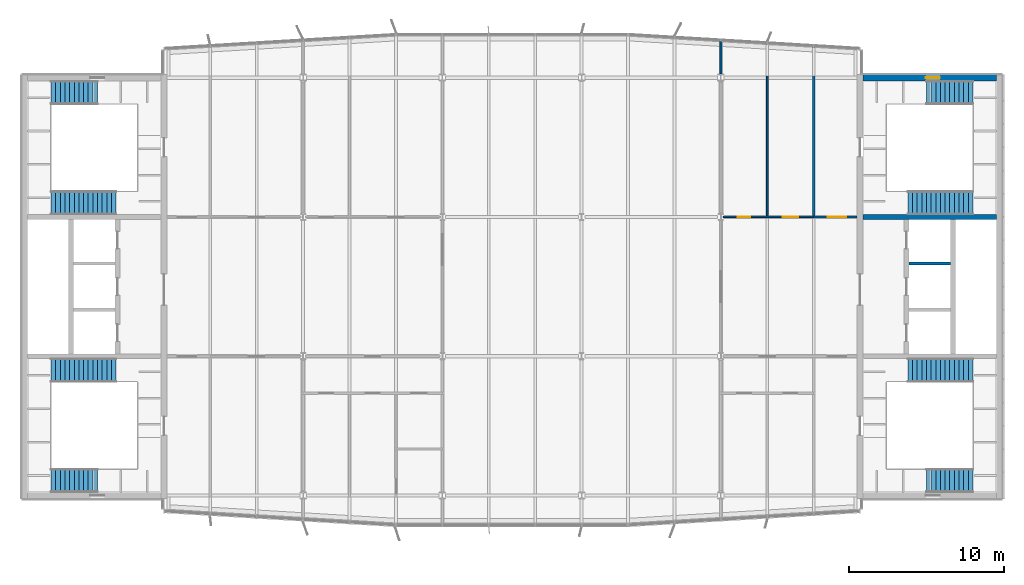
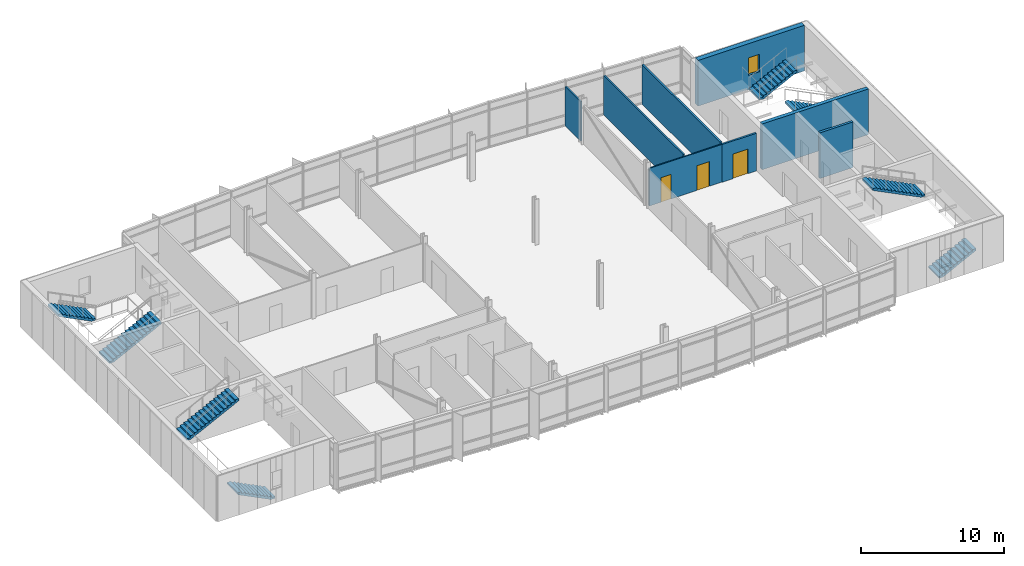
# One storey, part 16 of 20: 8 stair flights, 8 walls, 3 doors, 1 window, 4 openings, 4 elements without a shape of their own.
"""IFC4 building model written with IfcOpenShell, lengths in metres."""

import ifcopenshell
import ifcopenshell.guid

model = None  # the IFC model being written
_history = None  # IfcOwnerHistory: only IFC2X3 demands one
_inside = {}  # id of a spatial element -> (the spatial element, [elements in it])
_under = {}  # id of a project, library or spatial element -> (it, [spatial elements below it])
_declared = {}  # id of a project -> (the project, [libraries it declares])
_typed = {}  # id of a type object -> (the type object, [elements of that type])
_made_of = {}  # id of a material, layer set ... -> (it, [elements and type objects made of it])


def new_model(schema):
    """Start an empty IFC model of exactly this schema.

    Asked for "IFC4X3", IfcOpenShell would pick the latest addendum, in which some entities
    have other attributes; the version numbers below select the first issue.
    IFC2X3 requires an IfcOwnerHistory on every rooted entity: one is made here for all.
    """
    global model, _history
    if schema == "IFC4X3":
        model = ifcopenshell.file(schema_version=(4, 3, 0, 0))
    else:
        model = ifcopenshell.file(schema=schema)
    _inside.clear()
    _under.clear()
    _declared.clear()
    _typed.clear()
    _made_of.clear()
    _history = None
    if model.schema == "IFC2X3":
        org = make("IfcOrganization", Name="unknown")
        user = make(
            "IfcPersonAndOrganization",
            ThePerson=make("IfcPerson", FamilyName="unknown"),
            TheOrganization=org,
        )
        app = make(
            "IfcApplication",
            ApplicationDeveloper=org,
            Version="unknown",
            ApplicationFullName="unknown",
            ApplicationIdentifier="unknown",
        )
        _history = make(
            "IfcOwnerHistory",
            OwningUser=user,
            OwningApplication=app,
            ChangeAction="ADDED",
            CreationDate=0,
        )
    return model


def make(cls, **values):
    """One entity of the class cls with the attributes given. An attribute that is None is left unset."""
    return model.create_entity(
        cls, **{name: value for name, value in values.items() if value is not None}
    )


def rooted(cls, **values):
    """An entity with a GlobalId (a new one), such as an element, a storey or a relation."""
    return make(cls, GlobalId=ifcopenshell.guid.new(), OwnerHistory=_history, **values)


def si_unit(unit_type, name, prefix=None):
    """IfcSIUnit, for example si_unit("LENGTHUNIT", "METRE", prefix="MILLI")."""
    return make("IfcSIUnit", UnitType=unit_type, Prefix=prefix, Name=name)


def assignment(units):
    """IfcUnitAssignment: the units of a project."""
    return None if units is None else make("IfcUnitAssignment", Units=units)


def point(xyz):
    """IfcCartesianPoint."""
    return None if xyz is None else make("IfcCartesianPoint", Coordinates=xyz)


def direction(xyz):
    """IfcDirection."""
    return None if xyz is None else make("IfcDirection", DirectionRatios=xyz)


def frame(location, z_axis=None, x_axis=None):
    """IfcAxis2Placement3D, a coordinate frame: its origin and axes. An axis left out is left unset."""
    return make(
        "IfcAxis2Placement3D",
        Location=point(location),
        Axis=direction(z_axis),
        RefDirection=direction(x_axis),
    )


def frame_2d(location, x_axis=None):
    """IfcAxis2Placement2D, a coordinate frame in the plane: its origin and x axis."""
    return make(
        "IfcAxis2Placement2D", Location=point(location), RefDirection=direction(x_axis)
    )


def origin():
    """The frame at (0, 0, 0) with its axes left unset."""
    return frame((0.0, 0.0, 0.0))


def place(relative_to, where):
    """IfcLocalPlacement: puts the frame where relative to a parent placement (None: the world)."""
    return make(
        "IfcLocalPlacement", PlacementRelTo=relative_to, RelativePlacement=where
    )


def context(
    kind, dimensions, precision=None, world=None, true_north=None, identifier=None
):
    """IfcGeometricRepresentationContext, for example the 3D "Model" context."""
    return make(
        "IfcGeometricRepresentationContext",
        ContextIdentifier=identifier,
        ContextType=kind,
        CoordinateSpaceDimension=dimensions,
        Precision=precision,
        WorldCoordinateSystem=world,
        TrueNorth=true_north,
    )


def subcontext(parent, identifier, kind, view, scale=None):
    """IfcGeometricRepresentationSubContext, for example "Body" below "Model"."""
    return make(
        "IfcGeometricRepresentationSubContext",
        ContextIdentifier=identifier,
        ContextType=kind,
        ParentContext=parent,
        TargetScale=scale,
        TargetView=view,
    )


def project(units=None, contexts=None):
    """IfcProject with its units and contexts."""
    return rooted(
        "IfcProject",
        Name="project",
        RepresentationContexts=contexts,
        UnitsInContext=assignment(units),
    )


def spatial(cls, under=None, at=None, **own):
    """A site, building, storey or space (cls), placed at a placement, below another one or the project."""
    s = rooted(cls, ObjectPlacement=at, **own)
    if under is not None:
        _under.setdefault(under.id(), (under, []))[1].append(s)
    return s


def polyline(points):
    """IfcPolyline through the points."""
    return make("IfcPolyline", Points=[point(p) for p in points])


def profile(cls, at=None, kind="AREA", **sizes):
    """A parametric profile (cls). Its sizes go by their IFC names, for example OverallWidth=200.0."""
    return make(cls, ProfileType=kind, Position=at, **sizes)


def rectangle(**sizes):
    """IfcRectangleProfileDef."""
    return profile("IfcRectangleProfileDef", **sizes)


def outline(outer, holes=None, kind="AREA"):
    """IfcArbitraryClosedProfileDef: a profile drawn as a closed curve; with holes, ...WithVoids."""
    if holes is None:
        return make("IfcArbitraryClosedProfileDef", ProfileType=kind, OuterCurve=outer)
    return make(
        "IfcArbitraryProfileDefWithVoids",
        ProfileType=kind,
        OuterCurve=outer,
        InnerCurves=holes,
    )


def extrude(swept, where, along, depth):
    """IfcExtrudedAreaSolid: the profile swept, set in the frame where, extruded along a direction by depth."""
    return make(
        "IfcExtrudedAreaSolid",
        SweptArea=swept,
        Position=where,
        ExtrudedDirection=direction(along),
        Depth=depth,
    )


def shape(context_of_items, identifier, shape_type, items):
    """IfcShapeRepresentation: the items that make up one representation, for example the "Body"."""
    return make(
        "IfcShapeRepresentation",
        ContextOfItems=context_of_items,
        RepresentationIdentifier=identifier,
        RepresentationType=shape_type,
        Items=items,
    )


def material(Name=None, Category=None):
    """IfcMaterial."""
    return make("IfcMaterial", Name=Name, Category=Category)


def layer(
    of_material, thickness, ventilated=None, Name=None, Category=None, Priority=None
):
    """IfcMaterialLayer: one layer of a wall or slab, of a material (None: an air gap)."""
    return make(
        "IfcMaterialLayer",
        Material=of_material,
        LayerThickness=thickness,
        IsVentilated=ventilated,
        Name=Name,
        Category=Category,
        Priority=Priority,
    )


def layer_set(layers, Name=None):
    """IfcMaterialLayerSet."""
    return make("IfcMaterialLayerSet", MaterialLayers=layers, LayerSetName=Name)


def made_of(thing, what):
    """Note that an element or type object is made of a material, layer set ...; save() writes the relation."""
    if what is not None:
        _made_of.setdefault(what.id(), (what, []))[1].append(thing)
    return thing


def type_object(cls, material=None, **own):
    """A type object (cls), such as IfcWallType, which elements share."""
    return made_of(rooted(cls, **own), material)


def element(
    cls,
    number,
    at=None,
    inside=None,
    cuts=None,
    type_object=None,
    material=None,
    context=None,
    identifier="Body",
    shape_type=None,
    held_by="IfcProductDefinitionShape",
    body=None,
    shapes=None,
    **own,
):
    """One element of the class cls, such as IfcWall. Its Tag is "e" and its number.

    at: its placement. inside: the storey or other place that contains it. cuts: it is an
    opening in that element (IfcRelVoidsElement). A single representation is given by context,
    identifier, shape_type and body (its items); several are given by shapes. held_by: the class
    of the entity that holds the representations. save() writes the other relations.
    """
    e = rooted(cls, Tag="e%d" % number, ObjectPlacement=at, **own)
    if body is not None:
        shapes = [shape(context, identifier, shape_type, body)]
    if shapes is not None:
        e.Representation = make(held_by, Representations=shapes)
    if inside is not None:
        _inside.setdefault(inside.id(), (inside, []))[1].append(e)
    if cuts is not None:
        rooted(
            "IfcRelVoidsElement", RelatingBuildingElement=cuts, RelatedOpeningElement=e
        )
    if type_object is not None:
        _typed.setdefault(type_object.id(), (type_object, []))[1].append(e)
    return made_of(e, material)


def fill(opening, filler):
    """IfcRelFillsElement: the door or window that sits in an opening."""
    return rooted(
        "IfcRelFillsElement",
        RelatingOpeningElement=opening,
        RelatedBuildingElement=filler,
    )


def aggregate(whole, parts):
    """IfcRelAggregates: a whole, such as a stair, and the parts it consists of."""
    return rooted("IfcRelAggregates", RelatingObject=whole, RelatedObjects=parts)


def save(model, path):
    """Write the relations noted so far, then the file.

    IfcRelAggregates (storeys below a building ...), IfcRelContainedInSpatialStructure (elements
    in a storey), IfcRelDefinesByType, IfcRelAssociatesMaterial and IfcRelDeclares: one each for
    every whole, place, type object, material and project.
    """
    for whole, parts in _under.values():
        aggregate(whole, parts)
    for where, things in _inside.values():
        rooted(
            "IfcRelContainedInSpatialStructure",
            RelatedElements=things,
            RelatingStructure=where,
        )
    for kind, things in _typed.values():
        rooted("IfcRelDefinesByType", RelatedObjects=things, RelatingType=kind)
    for what, things in _made_of.values():
        rooted("IfcRelAssociatesMaterial", RelatedObjects=things, RelatingMaterial=what)
    for by, libraries in _declared.values():
        rooted("IfcRelDeclares", RelatingContext=by, RelatedDefinitions=libraries)
    model.write(path)


model = new_model("IFC4")

# Units and contexts
model_context = context("Model", 3, precision=1e-05, world=origin(), true_north=direction((0.0, 1.0)))
body_context = subcontext(model_context, "Body", "Model", "MODEL_VIEW")
ifc_project = project(units=[si_unit("LENGTHUNIT", "METRE"), si_unit("AREAUNIT", "SQUARE_METRE"), si_unit("VOLUMEUNIT", "CUBIC_METRE"), si_unit("PLANEANGLEUNIT", "RADIAN"), si_unit("MASSUNIT", "GRAM", prefix="KILO")], contexts=[model_context])

# Site, building, storey
site_placement = place(None, origin())
site = spatial("IfcSite", under=ifc_project, at=site_placement, CompositionType="ELEMENT")
building_placement = place(site_placement, origin())
building = spatial("IfcBuilding", under=site, at=building_placement, Name="Azimuth Sports and Learning Centre", CompositionType="ELEMENT")
storey_placement = place(building_placement, frame((0.0, 0.0, 44.10009765625)))
storey = spatial("IfcBuildingStorey", under=building, at=storey_placement, Name="L09", CompositionType="ELEMENT", Elevation=44.10009765625)

# Wall
ifc_material_1 = material(Name="Dense masonry blockwork", Category="masonry")
ifc_layer_1 = layer(ifc_material_1, 0.199951171875)
ifc_layer_set_1 = layer_set([ifc_layer_1], Name="Dense masonry blockwork")
wall_type_1 = type_object("IfcWallType", Name="Blockwork wall 200 EI 120", PredefinedType="SOLIDWALL", material=ifc_layer_set_1)
wall_1_placement = place(storey_placement, frame((111.14990234375, 105.0, 0.0), z_axis=(0.0, 0.0, 1.0), x_axis=(1.0, 0.0, 0.0)))
element("IfcWall", 1, at=wall_1_placement, inside=storey, type_object=wall_type_1, Name="SD-E-2-L09", PredefinedType="SOLIDWALL", context=body_context, shape_type="SweptSolid", body=[
    extrude(rectangle(XDim=2.7001953125, YDim=0.199951171875, at=frame_2d((1.35009765625, 0.0))), origin(), (0.0, 0.0, 1.0), 3.89990234375),
])

# Wall, openings, doors
ifc_material_2 = material(Name="Gypsum board on steel studs", Category="steel")
ifc_layer_2 = layer(ifc_material_2, 0.10009765625)
ifc_layer_set_2 = layer_set([ifc_layer_2], Name="Gypsum board on steel studs")
wall_type_2 = type_object("IfcWallType", Name="Partition 100 EI 30", PredefinedType="PARTITIONING", material=ifc_layer_set_2)
wall_2_placement = place(storey_placement, frame((99.153564453125, 108.0, 0.0), z_axis=(0.0, 0.0, 1.0), x_axis=(1.0, 0.0, 0.0)))
wall_2 = element("IfcWall", 2, at=wall_2_placement, inside=storey, type_object=wall_type_2, Name="Partition Archive Room 09.20 / Study Room 09.21", PredefinedType="PARTITIONING", context=body_context, shape_type="SweptSolid", body=[
    extrude(rectangle(XDim=5.846435546875, YDim=0.10009765625, at=frame_2d((2.92333984375, 0.0))), origin(), (0.0, 0.0, 1.0), 3.219970703125),
])
opening_1_placement = place(wall_2_placement, frame((0.946533203125, 0.0, 0.0)))
opening_1 = element("IfcOpeningElement", 3, at=opening_1_placement, cuts=wall_2, Name="Opening D09-023", PredefinedType="OPENING", context=body_context, shape_type="SweptSolid", body=[
    extrude(rectangle(XDim=0.800048828125, YDim=2.10009765625, at=frame_2d((0.39990234375, 1.050048828125))), frame((0.0, 0.06103515625, 0.0), z_axis=(0.0, -1.0, 0.0), x_axis=(1.0, 0.0, 0.0)), (0.0, 0.0, 1.0), 0.1220703125),
])
opening_2_placement = place(wall_2_placement, frame((3.846435546875, 0.0, 0.0)))
opening_2 = element("IfcOpeningElement", 4, at=opening_2_placement, cuts=wall_2, Name="Opening D09-024", PredefinedType="OPENING", context=body_context, shape_type="SweptSolid", body=[
    extrude(rectangle(XDim=1.0, YDim=2.10009765625, at=frame_2d((0.5, 1.050048828125))), frame((0.0, 0.06103515625, 0.0), z_axis=(0.0, -1.0, 0.0), x_axis=(1.0, 0.0, 0.0)), (0.0, 0.0, 1.0), 0.1220703125),
])
ifc_material_3 = material(Name="Painted steel door set", Category="steel")
door_type_1 = type_object("IfcDoorType", Name="Fire door FD30S 1000 x 2100", OperationType="NOTDEFINED", PredefinedType="DOOR", material=ifc_material_3)
door_1_placement = place(opening_2_placement, origin())
door_1 = element("IfcDoor", 5, at=door_1_placement, inside=storey, type_object=door_type_1, Name="Door Study Room 09.21 / Learning Street East", OperationType="SINGLE_SWING_LEFT", OverallHeight=2.10009765625, OverallWidth=1.0, PredefinedType="DOOR", context=body_context, shape_type="SweptSolid", body=[
    extrude(rectangle(XDim=1.0, YDim=2.10009765625, at=frame_2d((0.5, 1.050048828125))), frame((0.0, 0.02490234375, 0.0), z_axis=(0.0, -1.0, 0.0), x_axis=(1.0, 0.0, 0.0)), (0.0, 0.0, 1.0), 0.050048828125),
])
fill(opening_2, door_1)
ifc_material_4 = material(Name="Painted steel door set", Category="steel")
door_type_2 = type_object("IfcDoorType", Name="Fire door FD30S 800 x 2100", OperationType="NOTDEFINED", PredefinedType="DOOR", material=ifc_material_4)
door_2_placement = place(opening_1_placement, origin())
door_2 = element("IfcDoor", 6, at=door_2_placement, inside=storey, type_object=door_type_2, Name="Door Archive Room 09.20 / Learning Street East", OperationType="SINGLE_SWING_LEFT", OverallHeight=2.10009765625, OverallWidth=0.800048828125, PredefinedType="DOOR", context=body_context, shape_type="SweptSolid", body=[
    extrude(rectangle(XDim=0.800048828125, YDim=2.10009765625, at=frame_2d((0.39990234375, 1.050048828125))), frame((0.0, 0.02490234375, 0.0), z_axis=(0.0, -1.0, 0.0), x_axis=(1.0, 0.0, 0.0)), (0.0, 0.0, 1.0), 0.050048828125),
])
fill(opening_1, door_2)

# Walls
ifc_material_5 = material(Name="Gypsum board on steel studs, acoustic", Category="steel")
ifc_layer_3 = layer(ifc_material_5, 0.125)
ifc_layer_set_3 = layer_set([ifc_layer_3], Name="Gypsum board on steel studs, acoustic")
wall_type_3 = type_object("IfcWallType", Name="Partition 125 EI 60", PredefinedType="PARTITIONING", material=ifc_layer_set_3)
wall_3_placement = place(storey_placement, frame((99.0, 117.2275390625, 0.0), z_axis=(0.0, 0.0, 1.0), x_axis=(0.0, 1.0, 0.0)))
element("IfcWall", 7, at=wall_3_placement, inside=storey, type_object=wall_type_3, Name="Partition Library 09.13 / Archive Room 09.20", PredefinedType="PARTITIONING", context=body_context, shape_type="SweptSolid", body=[
    extrude(rectangle(XDim=2.112548828125, YDim=0.125, at=frame_2d((1.05615234375, 0.0))), origin(), (0.0, 0.0, 1.0), 3.369873046875),
])
wall_4_placement = place(storey_placement, frame((102.0, 108.050048828125, 0.0), z_axis=(0.0, 0.0, 1.0), x_axis=(0.0, 1.0, 0.0)))
element("IfcWall", 8, at=wall_4_placement, inside=storey, type_object=wall_type_3, Name="Partition Archive Room 09.20 / Study Room 09.21", PredefinedType="PARTITIONING", context=body_context, shape_type="SweptSolid", body=[
    extrude(rectangle(XDim=11.10986328125, YDim=0.125, at=frame_2d((5.554931640625, 0.0))), origin(), (0.0, 0.0, 1.0), 3.369873046875),
])

# Wall, opening, door
ifc_material_6 = material(Name="Lightweight blockwork, rendered", Category="masonry")
ifc_layer_4 = layer(ifc_material_6, 0.14990234375)
ifc_layer_set_4 = layer_set([ifc_layer_4], Name="Lightweight blockwork, rendered")
wall_type_4 = type_object("IfcWallType", Name="Partition 150 EI 60", PredefinedType="PARTITIONING", material=ifc_layer_set_4)
wall_5_placement = place(storey_placement, frame((105.0, 108.0, 0.0), z_axis=(0.0, 0.0, 1.0), x_axis=(1.0, 0.0, 0.0)))
wall_5 = element("IfcWall", 9, at=wall_5_placement, inside=storey, type_object=wall_type_4, Name="Partition Stair Lobby E2 09.04 / Learning Street East", PredefinedType="PARTITIONING", context=body_context, shape_type="SweptSolid", body=[
    extrude(rectangle(XDim=2.800048828125, YDim=0.14990234375, at=frame_2d((1.39990234375, 0.0))), origin(), (0.0, 0.0, 1.0), 3.219970703125),
])
opening_3_placement = place(wall_5_placement, frame((0.89990234375, 0.0, 0.0)))
opening_3 = element("IfcOpeningElement", 10, at=opening_3_placement, cuts=wall_5, Name="Opening D09-014", PredefinedType="OPENING", context=body_context, shape_type="SweptSolid", body=[
    extrude(rectangle(XDim=1.199951171875, YDim=2.10009765625, at=frame_2d((0.60009765625, 1.050048828125))), frame((0.0, 0.0859375, 0.0), z_axis=(0.0, -1.0, 0.0), x_axis=(1.0, 0.0, 0.0)), (0.0, 0.0, 1.0), 0.171875),
])
ifc_material_7 = material(Name="Painted steel door set", Category="steel")
door_type_3 = type_object("IfcDoorType", Name="Fire door FD60 1200 x 2100", OperationType="NOTDEFINED", PredefinedType="DOOR", material=ifc_material_7)
door_3_placement = place(opening_3_placement, origin())
door_3 = element("IfcDoor", 11, at=door_3_placement, inside=storey, type_object=door_type_3, Name="Door Stair Lobby E2 09.04 / Learning Street East", OperationType="SINGLE_SWING_RIGHT", OverallHeight=2.10009765625, OverallWidth=1.199951171875, PredefinedType="DOOR", context=body_context, shape_type="SweptSolid", body=[
    extrude(rectangle(XDim=1.199951171875, YDim=2.10009765625, at=frame_2d((0.60009765625, 1.050048828125))), frame((0.0, 0.02490234375, 0.0), z_axis=(0.0, -1.0, 0.0), x_axis=(1.0, 0.0, 0.0)), (0.0, 0.0, 1.0), 0.050048828125),
])
fill(opening_3, door_3)

# Walls
wall_6_placement = place(storey_placement, frame((105.0, 108.074951171875, 0.0), z_axis=(0.0, 0.0, 1.0), x_axis=(0.0, 1.0, 0.0)))
element("IfcWall", 12, at=wall_6_placement, inside=storey, type_object=wall_type_4, Name="Partition Stair Lobby E2 09.04 / Study Room 09.21", PredefinedType="PARTITIONING", context=body_context, shape_type="SweptSolid", body=[
    extrude(rectangle(XDim=10.905029296875, YDim=0.14990234375, at=frame_2d((5.45263671875, 0.0))), origin(), (0.0, 0.0, 1.0), 3.369873046875),
])
ifc_material_8 = material(Name="Concrete C40/50", Category="concrete")
ifc_layer_5 = layer(ifc_material_8, 0.300048828125)
ifc_layer_set_5 = layer_set([ifc_layer_5], Name="Concrete C40/50")
wall_type_5 = type_object("IfcWallType", Name="RC core wall 300", PredefinedType="SHEAR", material=ifc_layer_set_5)
wall_7_placement = place(storey_placement, frame((108.199951171875, 108.0, 0.0), z_axis=(0.0, 0.0, 1.0), x_axis=(1.0, 0.0, 0.0)))
element("IfcWall", 13, at=wall_7_placement, inside=storey, type_object=wall_type_5, Name="Core wall E D2 L09", PredefinedType="SHEAR", context=body_context, shape_type="SweptSolid", body=[
    extrude(rectangle(XDim=8.60009765625, YDim=0.300048828125, at=frame_2d((4.300048828125, 0.0))), origin(), (0.0, 0.0, 1.0), 3.89990234375),
])

# Wall, opening, window
ifc_material_9 = material(Name="Concrete C40/50", Category="concrete")
ifc_layer_6 = layer(ifc_material_9, 0.39990234375)
ifc_layer_set_6 = layer_set([ifc_layer_6], Name="Concrete C40/50")
wall_type_6 = type_object("IfcWallType", Name="RC external core wall 400", PredefinedType="SHEAR", material=ifc_layer_set_6)
wall_8_placement = place(storey_placement, frame((108.199951171875, 117.0, 0.0), z_axis=(0.0, 0.0, 1.0), x_axis=(1.0, 0.0, 0.0)))
wall_8 = element("IfcWall", 14, at=wall_8_placement, inside=storey, type_object=wall_type_6, Name="Core wall E N L09", PredefinedType="SHEAR", context=body_context, shape_type="SweptSolid", body=[
    extrude(rectangle(XDim=8.60009765625, YDim=0.39990234375, at=frame_2d((4.300048828125, 0.0))), origin(), (0.0, 0.0, 1.0), 3.89990234375),
])
opening_4_placement = place(wall_8_placement, frame((4.050048828125, 0.0, 1.199951171875)))
opening_4 = element("IfcOpeningElement", 15, at=opening_4_placement, cuts=wall_8, Name="Opening W09-003", PredefinedType="OPENING", context=body_context, shape_type="SweptSolid", body=[
    extrude(rectangle(XDim=0.89990234375, YDim=1.5, at=frame_2d((0.449951171875, 0.75))), frame((0.0, 0.2109375, 0.0), z_axis=(0.0, -1.0, 0.0), x_axis=(1.0, 0.0, 0.0)), (0.0, 0.0, 1.0), 0.421875),
])
ifc_material_10 = material(Name="Aluminium and glass", Category="aluminium")
window_type = type_object("IfcWindowType", Name="Stair window tower core 900x1500", PartitioningType="SINGLE_PANEL", PredefinedType="WINDOW", material=ifc_material_10)
window_placement = place(opening_4_placement, origin())
window = element("IfcWindow", 16, at=window_placement, inside=storey, type_object=window_type, Name="Window W09-003", OverallHeight=1.5, OverallWidth=0.89990234375, PartitioningType="SINGLE_PANEL", PredefinedType="WINDOW", context=body_context, shape_type="SweptSolid", body=[
    extrude(rectangle(XDim=0.89990234375, YDim=1.5, at=frame_2d((0.449951171875, 0.75))), frame((0.0, 0.030029296875, 0.0), z_axis=(0.0, -1.0, 0.0), x_axis=(1.0, 0.0, 0.0)), (0.0, 0.0, 1.0), 0.06005859375),
])
fill(opening_4, window)

# Stair, stair flight
ifc_material_11 = material(Name="Concrete C32/40", Category="concrete")
stair_type = type_object("IfcStairType", Name="Square-well stair core 3900 storey", PredefinedType="THREE_QUARTER_TURN_STAIR", material=ifc_material_11)
stair_1_placement = place(storey_placement, origin())
stair_1 = element("IfcStair", 17, at=stair_1_placement, inside=storey, type_object=stair_type, Name="Stair W1 L09-L10", PredefinedType="THREE_QUARTER_TURN_STAIR")
ifc_material_12 = material(Name="Concrete C32/40", Category="concrete")
stair_flight_type_1 = type_object("IfcStairFlightType", Name="Stair flight 11 risers", PredefinedType="STRAIGHT", material=ifc_material_12)
stair_flight_1_placement = place(storey_placement, frame((58.7099609375, 90.9599609375, 0.0), z_axis=(0.0, 0.0, 1.0), x_axis=(-1.0, 0.0, 0.0)))
stair_flight_1 = element("IfcStairFlight", 18, at=stair_flight_1_placement, type_object=stair_flight_type_1, Name="Stair W1 L09 flight 1", NumberOfRisers=11, NumberOfTreads=10, PredefinedType="STRAIGHT", RiserHeight=0.15, TreadLength=0.3, context=body_context, shape_type="SweptSolid", body=[
    extrude(outline(polyline([(0.0, 0.0), (0.0, 0.14990234375), (0.300048828125, 0.14990234375), (0.300048828125, 0.300048828125), (0.60009765625, 0.300048828125), (0.60009765625, 0.449951171875), (0.89990234375, 0.449951171875), (0.89990234375, 0.60009765625), (1.199951171875, 0.60009765625), (1.199951171875, 0.75), (1.5, 0.75), (1.5, 0.89990234375), (1.800048828125, 0.89990234375), (1.800048828125, 1.050048828125), (2.10009765625, 1.050048828125), (2.10009765625, 1.199951171875), (2.39990234375, 1.199951171875), (2.39990234375, 1.35009765625), (2.699951171875, 1.35009765625), (2.699951171875, 1.5), (3.0, 1.5), (3.0, 1.64990234375), (3.0, 1.33251953125), (0.335205078125, 0.0), (0.0, 0.0)])), frame((0.0, 0.75, 0.0), z_axis=(0.0, -1.0, 0.0), x_axis=(1.0, 0.0, 0.0)), (0.0, 0.0, 1.0), 1.5),
])

stair_2_placement = place(storey_placement, origin())
stair_2 = element("IfcStair", 19, at=stair_2_placement, inside=storey, type_object=stair_type, Name="Stair W2 L09-L10", PredefinedType="THREE_QUARTER_TURN_STAIR")
stair_flight_2_placement = place(storey_placement, frame((58.7099609375, 116.0400390625, 0.0), z_axis=(0.0, 0.0, 1.0), x_axis=(-1.0, 0.0, 0.0)))
stair_flight_2 = element("IfcStairFlight", 20, at=stair_flight_2_placement, type_object=stair_flight_type_1, Name="Stair W2 L09 flight 1", NumberOfRisers=11, NumberOfTreads=10, PredefinedType="STRAIGHT", RiserHeight=0.15, TreadLength=0.3, context=body_context, shape_type="SweptSolid", body=[
    extrude(outline(polyline([(0.0, 0.0), (0.0, 0.14990234375), (0.300048828125, 0.14990234375), (0.300048828125, 0.300048828125), (0.60009765625, 0.300048828125), (0.60009765625, 0.449951171875), (0.89990234375, 0.449951171875), (0.89990234375, 0.60009765625), (1.199951171875, 0.60009765625), (1.199951171875, 0.75), (1.5, 0.75), (1.5, 0.89990234375), (1.800048828125, 0.89990234375), (1.800048828125, 1.050048828125), (2.10009765625, 1.050048828125), (2.10009765625, 1.199951171875), (2.39990234375, 1.199951171875), (2.39990234375, 1.35009765625), (2.699951171875, 1.35009765625), (2.699951171875, 1.5), (3.0, 1.5), (3.0, 1.64990234375), (3.0, 1.33251953125), (0.335205078125, 0.0), (0.0, 0.0)])), frame((0.0, 0.75, 0.0), z_axis=(0.0, -1.0, 0.0), x_axis=(1.0, 0.0, 0.0)), (0.0, 0.0, 1.0), 1.5),
])

stair_3_placement = place(storey_placement, origin())
stair_3 = element("IfcStair", 21, at=stair_3_placement, inside=storey, type_object=stair_type, Name="Stair E1 L09-L10", PredefinedType="THREE_QUARTER_TURN_STAIR")
stair_flight_3_placement = place(storey_placement, frame((112.2900390625, 90.9599609375, 0.0), z_axis=(0.0, 0.0, 1.0), x_axis=(1.0, 0.0, 0.0)))
stair_flight_3 = element("IfcStairFlight", 22, at=stair_flight_3_placement, type_object=stair_flight_type_1, Name="Stair E1 L09 flight 1", NumberOfRisers=11, NumberOfTreads=10, PredefinedType="STRAIGHT", RiserHeight=0.15, TreadLength=0.3, context=body_context, shape_type="SweptSolid", body=[
    extrude(outline(polyline([(0.0, 0.0), (0.0, 0.14990234375), (0.300048828125, 0.14990234375), (0.300048828125, 0.300048828125), (0.60009765625, 0.300048828125), (0.60009765625, 0.449951171875), (0.89990234375, 0.449951171875), (0.89990234375, 0.60009765625), (1.199951171875, 0.60009765625), (1.199951171875, 0.75), (1.5, 0.75), (1.5, 0.89990234375), (1.800048828125, 0.89990234375), (1.800048828125, 1.050048828125), (2.10009765625, 1.050048828125), (2.10009765625, 1.199951171875), (2.39990234375, 1.199951171875), (2.39990234375, 1.35009765625), (2.699951171875, 1.35009765625), (2.699951171875, 1.5), (3.0, 1.5), (3.0, 1.64990234375), (3.0, 1.33251953125), (0.335205078125, 0.0), (0.0, 0.0)])), frame((0.0, 0.75, 0.0), z_axis=(0.0, -1.0, 0.0), x_axis=(1.0, 0.0, 0.0)), (0.0, 0.0, 1.0), 1.5),
])

stair_4_placement = place(storey_placement, origin())
stair_4 = element("IfcStair", 23, at=stair_4_placement, inside=storey, type_object=stair_type, Name="Stair E2 L09-L10", PredefinedType="THREE_QUARTER_TURN_STAIR")
stair_flight_4_placement = place(storey_placement, frame((112.2900390625, 116.0400390625, 0.0), z_axis=(0.0, 0.0, 1.0), x_axis=(1.0, 0.0, 0.0)))
stair_flight_4 = element("IfcStairFlight", 24, at=stair_flight_4_placement, type_object=stair_flight_type_1, Name="Stair E2 L09 flight 1", NumberOfRisers=11, NumberOfTreads=10, PredefinedType="STRAIGHT", RiserHeight=0.15, TreadLength=0.3, context=body_context, shape_type="SweptSolid", body=[
    extrude(outline(polyline([(0.0, 0.0), (0.0, 0.14990234375), (0.300048828125, 0.14990234375), (0.300048828125, 0.300048828125), (0.60009765625, 0.300048828125), (0.60009765625, 0.449951171875), (0.89990234375, 0.449951171875), (0.89990234375, 0.60009765625), (1.199951171875, 0.60009765625), (1.199951171875, 0.75), (1.5, 0.75), (1.5, 0.89990234375), (1.800048828125, 0.89990234375), (1.800048828125, 1.050048828125), (2.10009765625, 1.050048828125), (2.10009765625, 1.199951171875), (2.39990234375, 1.199951171875), (2.39990234375, 1.35009765625), (2.699951171875, 1.35009765625), (2.699951171875, 1.5), (3.0, 1.5), (3.0, 1.64990234375), (3.0, 1.33251953125), (0.335205078125, 0.0), (0.0, 0.0)])), frame((0.0, 0.75, 0.0), z_axis=(0.0, -1.0, 0.0), x_axis=(1.0, 0.0, 0.0)), (0.0, 0.0, 1.0), 1.5),
])

# Stair flight
ifc_material_13 = material(Name="Concrete C32/40", Category="concrete")
stair_flight_type_2 = type_object("IfcStairFlightType", Name="Stair flight 15 risers", PredefinedType="STRAIGHT", material=ifc_material_13)
stair_flight_5_placement = place(storey_placement, frame((55.7099609375, 98.090087890625, 1.64990234375), z_axis=(0.0, 0.0, 1.0), x_axis=(1.0, 0.0, 0.0)))
stair_flight_5 = element("IfcStairFlight", 25, at=stair_flight_5_placement, type_object=stair_flight_type_2, Name="Stair W1 L09 flight 2", NumberOfRisers=15, NumberOfTreads=14, PredefinedType="STRAIGHT", RiserHeight=0.15, TreadLength=0.3, context=body_context, shape_type="SweptSolid", body=[
    extrude(outline(polyline([(0.0, 0.0), (0.0, 0.14990234375), (0.300048828125, 0.14990234375), (0.300048828125, 0.300048828125), (0.60009765625, 0.300048828125), (0.60009765625, 0.449951171875), (0.89990234375, 0.449951171875), (0.89990234375, 0.60009765625), (1.199951171875, 0.60009765625), (1.199951171875, 0.75), (1.5, 0.75), (1.5, 0.89990234375), (1.800048828125, 0.89990234375), (1.800048828125, 1.050048828125), (2.10009765625, 1.050048828125), (2.10009765625, 1.199951171875), (2.39990234375, 1.199951171875), (2.39990234375, 1.35009765625), (2.699951171875, 1.35009765625), (2.699951171875, 1.5), (3.0, 1.5), (3.0, 1.64990234375), (3.300048828125, 1.64990234375), (3.300048828125, 1.800048828125), (3.60009765625, 1.800048828125), (3.60009765625, 1.949951171875), (3.89990234375, 1.949951171875), (3.89990234375, 2.10009765625), (4.199951171875, 2.10009765625), (4.199951171875, 2.25), (4.199951171875, 1.932373046875), (0.335205078125, 0.0), (0.0, 0.0)])), frame((0.0, 0.75, 0.0), z_axis=(0.0, -1.0, 0.0), x_axis=(1.0, 0.0, 0.0)), (0.0, 0.0, 1.0), 1.5),
])

aggregate(stair_1, [stair_flight_1, stair_flight_5])

stair_flight_6_placement = place(storey_placement, frame((55.7099609375, 108.909912109375, 1.64990234375), z_axis=(0.0, 0.0, 1.0), x_axis=(1.0, 0.0, 0.0)))
stair_flight_6 = element("IfcStairFlight", 26, at=stair_flight_6_placement, type_object=stair_flight_type_2, Name="Stair W2 L09 flight 2", NumberOfRisers=15, NumberOfTreads=14, PredefinedType="STRAIGHT", RiserHeight=0.15, TreadLength=0.3, context=body_context, shape_type="SweptSolid", body=[
    extrude(outline(polyline([(0.0, 0.0), (0.0, 0.14990234375), (0.300048828125, 0.14990234375), (0.300048828125, 0.300048828125), (0.60009765625, 0.300048828125), (0.60009765625, 0.449951171875), (0.89990234375, 0.449951171875), (0.89990234375, 0.60009765625), (1.199951171875, 0.60009765625), (1.199951171875, 0.75), (1.5, 0.75), (1.5, 0.89990234375), (1.800048828125, 0.89990234375), (1.800048828125, 1.050048828125), (2.10009765625, 1.050048828125), (2.10009765625, 1.199951171875), (2.39990234375, 1.199951171875), (2.39990234375, 1.35009765625), (2.699951171875, 1.35009765625), (2.699951171875, 1.5), (3.0, 1.5), (3.0, 1.64990234375), (3.300048828125, 1.64990234375), (3.300048828125, 1.800048828125), (3.60009765625, 1.800048828125), (3.60009765625, 1.949951171875), (3.89990234375, 1.949951171875), (3.89990234375, 2.10009765625), (4.199951171875, 2.10009765625), (4.199951171875, 2.25), (4.199951171875, 1.932373046875), (0.335205078125, 0.0), (0.0, 0.0)])), frame((0.0, 0.75, 0.0), z_axis=(0.0, -1.0, 0.0), x_axis=(1.0, 0.0, 0.0)), (0.0, 0.0, 1.0), 1.5),
])

aggregate(stair_2, [stair_flight_2, stair_flight_6])

stair_flight_7_placement = place(storey_placement, frame((115.2900390625, 98.090087890625, 1.64990234375), z_axis=(0.0, 0.0, 1.0), x_axis=(-1.0, 0.0, 0.0)))
stair_flight_7 = element("IfcStairFlight", 27, at=stair_flight_7_placement, type_object=stair_flight_type_2, Name="Stair E1 L09 flight 2", NumberOfRisers=15, NumberOfTreads=14, PredefinedType="STRAIGHT", RiserHeight=0.15, TreadLength=0.3, context=body_context, shape_type="SweptSolid", body=[
    extrude(outline(polyline([(0.0, 0.0), (0.0, 0.14990234375), (0.300048828125, 0.14990234375), (0.300048828125, 0.300048828125), (0.60009765625, 0.300048828125), (0.60009765625, 0.449951171875), (0.89990234375, 0.449951171875), (0.89990234375, 0.60009765625), (1.199951171875, 0.60009765625), (1.199951171875, 0.75), (1.5, 0.75), (1.5, 0.89990234375), (1.800048828125, 0.89990234375), (1.800048828125, 1.050048828125), (2.10009765625, 1.050048828125), (2.10009765625, 1.199951171875), (2.39990234375, 1.199951171875), (2.39990234375, 1.35009765625), (2.699951171875, 1.35009765625), (2.699951171875, 1.5), (3.0, 1.5), (3.0, 1.64990234375), (3.300048828125, 1.64990234375), (3.300048828125, 1.800048828125), (3.60009765625, 1.800048828125), (3.60009765625, 1.949951171875), (3.89990234375, 1.949951171875), (3.89990234375, 2.10009765625), (4.199951171875, 2.10009765625), (4.199951171875, 2.25), (4.199951171875, 1.932373046875), (0.335205078125, 0.0), (0.0, 0.0)])), frame((0.0, 0.75, 0.0), z_axis=(0.0, -1.0, 0.0), x_axis=(1.0, 0.0, 0.0)), (0.0, 0.0, 1.0), 1.5),
])

aggregate(stair_3, [stair_flight_3, stair_flight_7])

stair_flight_8_placement = place(storey_placement, frame((115.2900390625, 108.909912109375, 1.64990234375), z_axis=(0.0, 0.0, 1.0), x_axis=(-1.0, 0.0, 0.0)))
stair_flight_8 = element("IfcStairFlight", 28, at=stair_flight_8_placement, type_object=stair_flight_type_2, Name="Stair E2 L09 flight 2", NumberOfRisers=15, NumberOfTreads=14, PredefinedType="STRAIGHT", RiserHeight=0.15, TreadLength=0.3, context=body_context, shape_type="SweptSolid", body=[
    extrude(outline(polyline([(0.0, 0.0), (0.0, 0.14990234375), (0.300048828125, 0.14990234375), (0.300048828125, 0.300048828125), (0.60009765625, 0.300048828125), (0.60009765625, 0.449951171875), (0.89990234375, 0.449951171875), (0.89990234375, 0.60009765625), (1.199951171875, 0.60009765625), (1.199951171875, 0.75), (1.5, 0.75), (1.5, 0.89990234375), (1.800048828125, 0.89990234375), (1.800048828125, 1.050048828125), (2.10009765625, 1.050048828125), (2.10009765625, 1.199951171875), (2.39990234375, 1.199951171875), (2.39990234375, 1.35009765625), (2.699951171875, 1.35009765625), (2.699951171875, 1.5), (3.0, 1.5), (3.0, 1.64990234375), (3.300048828125, 1.64990234375), (3.300048828125, 1.800048828125), (3.60009765625, 1.800048828125), (3.60009765625, 1.949951171875), (3.89990234375, 1.949951171875), (3.89990234375, 2.10009765625), (4.199951171875, 2.10009765625), (4.199951171875, 2.25), (4.199951171875, 1.932373046875), (0.335205078125, 0.0), (0.0, 0.0)])), frame((0.0, 0.75, 0.0), z_axis=(0.0, -1.0, 0.0), x_axis=(1.0, 0.0, 0.0)), (0.0, 0.0, 1.0), 1.5),
])

aggregate(stair_4, [stair_flight_4, stair_flight_8])

save(model, "model.ifc")
